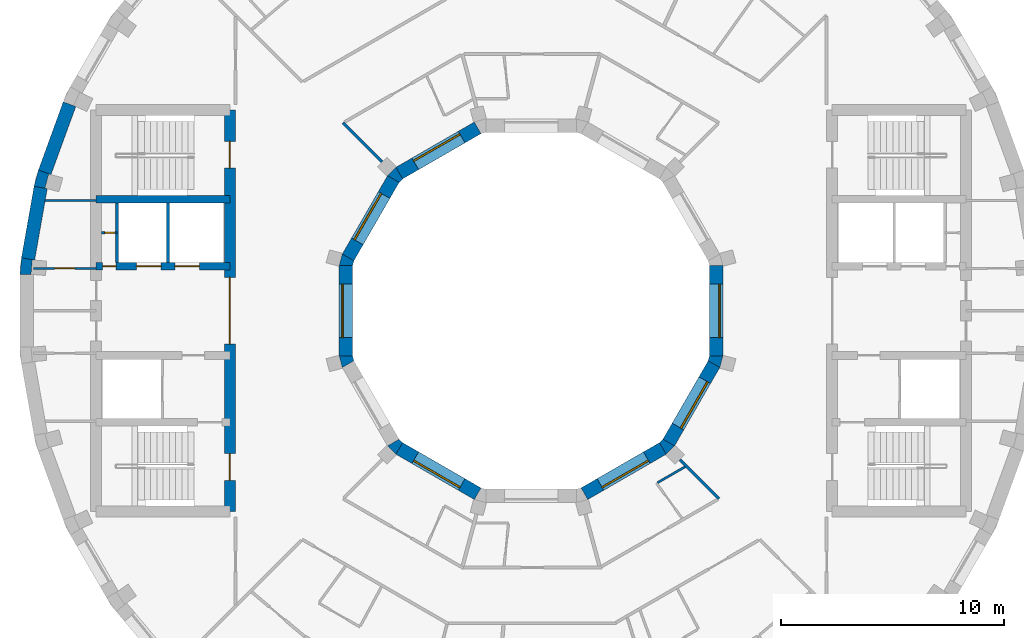
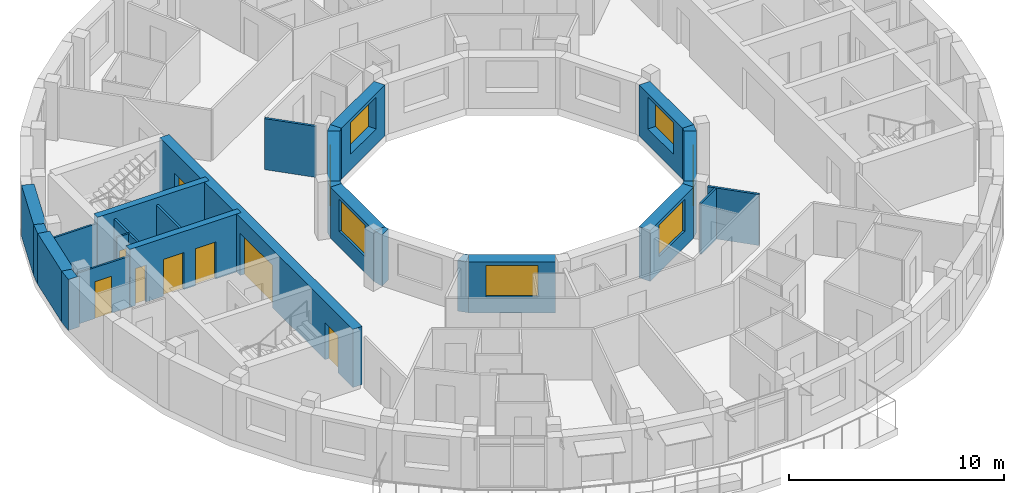
# One storey, part 6 of 12: 28 walls, 8 doors, 7 windows, 15 openings.
"""IFC4 building model written with IfcOpenShell, lengths in metres."""

from ifc_helpers import new_model, si_unit, direction, frame, frame_2d, origin, place, context, subcontext, project, spatial, polyline, rectangle, outline, extrude, material, layer, layer_set, type_object, element, fill, save


model = new_model("IFC4")

# Units and contexts
model_context = context("Model", 3, precision=1e-05, world=origin(), true_north=direction((0.0, 1.0)))
body_context = subcontext(model_context, "Body", "Model", "MODEL_VIEW")
ifc_project = project(units=[si_unit("LENGTHUNIT", "METRE"), si_unit("AREAUNIT", "SQUARE_METRE"), si_unit("VOLUMEUNIT", "CUBIC_METRE"), si_unit("PLANEANGLEUNIT", "RADIAN"), si_unit("MASSUNIT", "GRAM", prefix="KILO")], contexts=[model_context])

# Site, building, storey
site_placement = place(None, origin())
site = spatial("IfcSite", under=ifc_project, at=site_placement, CompositionType="ELEMENT")
building_placement = place(site_placement, origin())
building = spatial("IfcBuilding", under=site, at=building_placement, Name="Saqina Gate Tower", CompositionType="ELEMENT")
storey_placement = place(building_placement, frame((0.0, 0.0, 272.60009765625)))
storey = spatial("IfcBuildingStorey", under=building, at=storey_placement, Name="L78", CompositionType="ELEMENT", Elevation=272.60009765625)

# Walls
ifc_material_1 = material(Name="Brick masonry (buff)", Category="masonry")
wall_type_1 = type_object("IfcWallType", Name="BRICK PIER COPING BUFF", PredefinedType="SOLIDWALL", material=ifc_material_1)
wall_1_placement = place(storey_placement, origin())
element("IfcWall", 1, at=wall_1_placement, inside=storey, type_object=wall_type_1, Name="Pier cap L78 column 17", PredefinedType="SOLIDWALL", context=body_context, shape_type="SweptSolid", body=[
    extrude(outline(polyline([(-22.281982421875, 5.579833984375), (-21.691162109375, 5.4755859375), (-21.793212890625, 5.5029296875), (-21.625, 6.130859375), (-21.52294921875, 6.103515625), (-22.0869140625, 6.30859375), (-22.281982421875, 5.579833984375)])), origin(), (0.0, 0.0, 1.0), 2.89990234375),
])
wall_2_placement = place(storey_placement, origin())
element("IfcWall", 2, at=wall_2_placement, inside=storey, type_object=wall_type_1, Name="Pier cap L78 column 18", PredefinedType="SOLIDWALL", context=body_context, shape_type="SweptSolid", body=[
    extrude(outline(polyline([(-22.8466796875, 2.377685546875), (-22.91259765625, 1.625732421875), (-22.3125, 1.625732421875), (-22.417724609375, 1.635009765625), (-22.361083984375, 2.28271484375), (-22.255859375, 2.2734375), (-22.8466796875, 2.377685546875)])), origin(), (0.0, 0.0, 1.0), 2.89990234375),
])

# Wall, opening, door
ifc_material_2 = material(Name="Gypsum board on steel studs", Category="steel")
ifc_layer_1 = layer(ifc_material_2, 0.10009765625)
ifc_layer_set_1 = layer_set([ifc_layer_1], Name="CORE PARTITION")
wall_type_2 = type_object("IfcWallType", Name="CORE PARTITION", PredefinedType="PARTITIONING", material=ifc_layer_set_1)
wall_3_placement = place(storey_placement, frame((-18.56005859375, 3.5, 0.0), z_axis=(0.0, 0.0, 1.0), x_axis=(-1.0, 0.0, 0.0)))
wall_3 = element("IfcWall", 3, at=wall_3_placement, inside=storey, type_object=wall_type_2, Name="L78-CP-W01", PredefinedType="PARTITIONING", context=body_context, shape_type="SweptSolid", body=[
    extrude(rectangle(XDim=0.68994140625, YDim=0.10009765625, at=frame_2d((0.344970703125, 0.0))), origin(), (0.0, 0.0, 1.0), 2.89990234375),
])
opening_1_placement = place(wall_3_placement, frame((0.10009765625, 0.0, 0.0)))
opening_1 = element("IfcOpeningElement", 4, at=opening_1_placement, cuts=wall_3, Name="Opening G23-D107", PredefinedType="OPENING", context=body_context, shape_type="SweptSolid", body=[
    extrude(rectangle(XDim=0.449951171875, YDim=2.10009765625, at=frame_2d((0.22509765625, 1.050048828125))), frame((0.0, 0.06201171875, 0.0), z_axis=(0.0, -1.0, 0.0), x_axis=(1.0, 0.0, 0.0)), (0.0, 0.0, 1.0), 0.1240234375),
])
ifc_material_3 = material(Name="Steel-framed fire door leaf, EI 60", Category="steel")
door_type_1 = type_object("IfcDoorType", Name="SERVICE ROOM DOOR 450", OperationType="SINGLE_SWING_LEFT", PredefinedType="DOOR", material=ifc_material_3)
door_1_placement = place(opening_1_placement, origin())
door_1 = element("IfcDoor", 5, at=door_1_placement, inside=storey, type_object=door_type_1, Name="L78-CD-W18", OperationType="SINGLE_SWING_RIGHT", OverallHeight=2.10009765625, OverallWidth=0.449951171875, PredefinedType="DOOR", context=body_context, shape_type="SweptSolid", body=[
    extrude(rectangle(XDim=0.449951171875, YDim=2.10009765625, at=frame_2d((0.22509765625, 1.050048828125))), frame((0.0, 0.02490234375, 0.0), z_axis=(0.0, -1.0, 0.0), x_axis=(1.0, 0.0, 0.0)), (0.0, 0.0, 1.0), 0.050048828125),
])
fill(opening_1, door_1)

# Wall
wall_4_placement = place(storey_placement, frame((-19.5, 4.949951171875, 0.0), z_axis=(0.0, 0.0, 1.0), x_axis=(-1.0, 0.0, 0.0)))
element("IfcWall", 6, at=wall_4_placement, inside=storey, type_object=wall_type_2, Name="L78-CP-W02", PredefinedType="PARTITIONING", context=body_context, shape_type="SweptSolid", body=[
    extrude(rectangle(XDim=2.283935546875, YDim=0.10009765625, at=frame_2d((1.14208984375, 0.0))), origin(), (0.0, 0.0, 1.0), 2.89990234375),
])

# Wall, opening, door
wall_5_placement = place(storey_placement, frame((-19.5, 1.89990234375, 0.0), z_axis=(0.0, 0.0, 1.0), x_axis=(-1.0, 0.0, 0.0)))
wall_5 = element("IfcWall", 7, at=wall_5_placement, inside=storey, type_object=wall_type_2, Name="L78-CP-W03", PredefinedType="PARTITIONING", context=body_context, shape_type="SweptSolid", body=[
    extrude(rectangle(XDim=2.8125, YDim=0.10009765625, at=frame_2d((1.40625, 0.0))), origin(), (0.0, 0.0, 1.0), 2.89990234375),
])
opening_2_placement = place(wall_5_placement, frame((0.956298828125, 0.0, 0.0)))
opening_2 = element("IfcOpeningElement", 8, at=opening_2_placement, cuts=wall_5, Name="Opening G23-D103", PredefinedType="OPENING", context=body_context, shape_type="SweptSolid", body=[
    extrude(rectangle(XDim=0.89990234375, YDim=2.10009765625, at=frame_2d((0.449951171875, 1.050048828125))), frame((0.0, 0.06201171875, 0.0), z_axis=(0.0, -1.0, 0.0), x_axis=(1.0, 0.0, 0.0)), (0.0, 0.0, 1.0), 0.1240234375),
])
ifc_material_4 = material(Name="Steel-framed fire door leaf, EI 60", Category="steel")
door_type_2 = type_object("IfcDoorType", Name="SERVICE ROOM DOOR 900", OperationType="SINGLE_SWING_LEFT", PredefinedType="DOOR", material=ifc_material_4)
door_2_placement = place(opening_2_placement, frame((0.89990234375, 0.0, 0.0), z_axis=(0.0, 0.0, 1.0), x_axis=(-1.0, 0.0, 0.0)))
door_2 = element("IfcDoor", 9, at=door_2_placement, inside=storey, type_object=door_type_2, Name="L78-CD-W14", OperationType="SINGLE_SWING_LEFT", OverallHeight=2.10009765625, OverallWidth=0.89990234375, PredefinedType="DOOR", context=body_context, shape_type="SweptSolid", body=[
    extrude(rectangle(XDim=0.89990234375, YDim=2.10009765625, at=frame_2d((0.449951171875, 1.050048828125))), frame((0.0, 0.02490234375, 0.0), z_axis=(0.0, -1.0, 0.0), x_axis=(1.0, 0.0, 0.0)), (0.0, 0.0, 1.0), 0.050048828125),
])
fill(opening_2, door_2)

# Walls
ifc_material_5 = material(Name="Glazed ceramic tile", Category="ceramic")
ifc_layer_2 = layer(ifc_material_5, 0.60009765625)
ifc_layer_set_2 = layer_set([ifc_layer_2], Name="FW-TILE")
wall_type_3 = type_object("IfcWallType", Name="FW-TILE", PredefinedType="SOLIDWALL", material=ifc_layer_set_2)
wall_6_placement = place(storey_placement, frame((-21.986572265625, 5.52783203125, 0.0), z_axis=(0.0, 0.0, 1.0), x_axis=(-0.173656842178, -0.984806225186, 0.0)))
element("IfcWall", 10, at=wall_6_placement, inside=storey, type_object=wall_type_3, Name="Facade wall L78 facet 17", PredefinedType="SOLIDWALL", context=body_context, shape_type="SweptSolid", body=[
    extrude(rectangle(XDim=3.251708984375, YDim=0.60009765625, at=frame_2d((1.6259765625, 0.0))), origin(), (0.0, 0.0, 1.0), 2.89990234375),
])
ifc_material_6 = material(Name="Glazed ceramic tile (dark blue)", Category="ceramic")
ifc_layer_3 = layer(ifc_material_6, 0.60009765625)
ifc_layer_set_3 = layer_set([ifc_layer_3], Name="FW-TILE-CB")
wall_type_4 = type_object("IfcWallType", Name="FW-TILE-CB", PredefinedType="SOLIDWALL", material=ifc_layer_set_3)
wall_7_placement = place(storey_placement, frame((-20.692626953125, 9.26171875, 0.0), z_axis=(0.0, 0.0, 1.0), x_axis=(-0.342056509473, -0.939679383794, 0.0)))
element("IfcWall", 11, at=wall_7_placement, inside=storey, type_object=wall_type_4, Name="Facade wall L78 facet 16", PredefinedType="SOLIDWALL", context=body_context, shape_type="SweptSolid", body=[
    extrude(rectangle(XDim=3.251708984375, YDim=0.60009765625, at=frame_2d((1.6259765625, 0.0))), origin(), (0.0, 0.0, 1.0), 2.89990234375),
])

# Wall, opening, window
ifc_material_7 = material(Name="Glazed ceramic tile", Category="ceramic")
ifc_layer_4 = layer(ifc_material_7, 0.60009765625)
ifc_layer_set_4 = layer_set([ifc_layer_4], Name="IW-TILE")
wall_type_5 = type_object("IfcWallType", Name="IW-TILE", PredefinedType="SOLIDWALL", material=ifc_layer_set_4)
wall_8_placement = place(storey_placement, frame((-2.392578125, 8.20263671875, 0.0), z_axis=(0.0, 0.0, 1.0), x_axis=(-0.866028316509, -0.499994954979, 0.0)))
wall_8 = element("IfcWall", 12, at=wall_8_placement, inside=storey, type_object=wall_type_5, Name="Well wall L78 facet 4", PredefinedType="SOLIDWALL", context=body_context, shape_type="SweptSolid", body=[
    extrude(rectangle(XDim=4.05859375, YDim=0.60009765625, at=frame_2d((2.029296875, 0.0))), origin(), (0.0, 0.0, 1.0), 2.89990234375),
])
opening_3_placement = place(wall_8_placement, frame((0.829345703125, 0.0, 0.89990234375)))
opening_3 = element("IfcOpeningElement", 13, at=opening_3_placement, cuts=wall_8, Name="Opening G23-W26", PredefinedType="OPENING", context=body_context, shape_type="SweptSolid", body=[
    extrude(rectangle(XDim=2.39990234375, YDim=1.800048828125, at=frame_2d((1.199951171875, 0.89990234375))), frame((0.0, 0.31201171875, 0.0), z_axis=(0.0, -1.0, 0.0), x_axis=(1.0, 0.0, 0.0)), (0.0, 0.0, 1.0), 0.6240234375),
])
ifc_material_8 = material(Name="Aluminium glazing", Category="aluminium")
window_type = type_object("IfcWindowType", Name="WN-W", PartitioningType="SINGLE_PANEL", PredefinedType="WINDOW", material=ifc_material_8)
window_1_placement = place(opening_3_placement, origin())
window_1 = element("IfcWindow", 14, at=window_1_placement, inside=storey, type_object=window_type, Name="Well window L78 facet 4", OverallHeight=1.800048828125, OverallWidth=2.39990234375, PartitioningType="SINGLE_PANEL", PredefinedType="WINDOW", context=body_context, shape_type="SweptSolid", body=[
    extrude(rectangle(XDim=2.39990234375, YDim=1.800048828125, at=frame_2d((1.199951171875, 0.89990234375))), frame((0.0, -0.119873046875, 0.0), z_axis=(0.0, -1.0, 0.0), x_axis=(1.0, 0.0, 0.0)), (0.0, 0.0, 1.0), 0.06005859375),
])
fill(opening_3, window_1)

wall_9_placement = place(storey_placement, frame((-6.17333984375, 5.907470703125, 0.0), z_axis=(0.0, 0.0, 1.0), x_axis=(-0.499994954979, -0.866028316509, 0.0)))
wall_9 = element("IfcWall", 15, at=wall_9_placement, inside=storey, type_object=wall_type_5, Name="Well wall L78 facet 5", PredefinedType="SOLIDWALL", context=body_context, shape_type="SweptSolid", body=[
    extrude(rectangle(XDim=4.05859375, YDim=0.60009765625, at=frame_2d((2.029296875, 0.0))), origin(), (0.0, 0.0, 1.0), 2.89990234375),
])
opening_4_placement = place(wall_9_placement, frame((0.829345703125, 0.0, 0.89990234375)))
opening_4 = element("IfcOpeningElement", 16, at=opening_4_placement, cuts=wall_9, Name="Opening G23-W27", PredefinedType="OPENING", context=body_context, shape_type="SweptSolid", body=[
    extrude(rectangle(XDim=2.39990234375, YDim=1.800048828125, at=frame_2d((1.199951171875, 0.89990234375))), frame((0.0, 0.31201171875, 0.0), z_axis=(0.0, -1.0, 0.0), x_axis=(1.0, 0.0, 0.0)), (0.0, 0.0, 1.0), 0.6240234375),
])
window_2_placement = place(opening_4_placement, origin())
window_2 = element("IfcWindow", 17, at=window_2_placement, inside=storey, type_object=window_type, Name="Well window L78 facet 5", OverallHeight=1.800048828125, OverallWidth=2.39990234375, PartitioningType="SINGLE_PANEL", PredefinedType="WINDOW", context=body_context, shape_type="SweptSolid", body=[
    extrude(rectangle(XDim=2.39990234375, YDim=1.800048828125, at=frame_2d((1.199951171875, 0.89990234375))), frame((0.0, -0.119873046875, 0.0), z_axis=(0.0, -1.0, 0.0), x_axis=(1.0, 0.0, 0.0)), (0.0, 0.0, 1.0), 0.06005859375),
])
fill(opening_4, window_2)

wall_10_placement = place(storey_placement, frame((-8.300048828125, 2.029296875, 0.0), z_axis=(0.0, 0.0, 1.0), x_axis=(0.0, -1.0, 0.0)))
wall_10 = element("IfcWall", 18, at=wall_10_placement, inside=storey, type_object=wall_type_5, Name="Well wall L78 facet 6", PredefinedType="SOLIDWALL", context=body_context, shape_type="SweptSolid", body=[
    extrude(rectangle(XDim=4.05859375, YDim=0.60009765625, at=frame_2d((2.029296875, 0.0))), origin(), (0.0, 0.0, 1.0), 2.89990234375),
])
opening_5_placement = place(wall_10_placement, frame((0.829345703125, 0.0, 0.89990234375)))
opening_5 = element("IfcOpeningElement", 19, at=opening_5_placement, cuts=wall_10, Name="Opening G23-W28", PredefinedType="OPENING", context=body_context, shape_type="SweptSolid", body=[
    extrude(rectangle(XDim=2.39990234375, YDim=1.800048828125, at=frame_2d((1.199951171875, 0.89990234375))), frame((0.0, 0.31201171875, 0.0), z_axis=(0.0, -1.0, 0.0), x_axis=(1.0, 0.0, 0.0)), (0.0, 0.0, 1.0), 0.6240234375),
])
window_3_placement = place(opening_5_placement, origin())
window_3 = element("IfcWindow", 20, at=window_3_placement, inside=storey, type_object=window_type, Name="Well window L78 facet 6", OverallHeight=1.800048828125, OverallWidth=2.39990234375, PartitioningType="SINGLE_PANEL", PredefinedType="WINDOW", context=body_context, shape_type="SweptSolid", body=[
    extrude(rectangle(XDim=2.39990234375, YDim=1.800048828125, at=frame_2d((1.199951171875, 0.89990234375))), frame((0.0, -0.119873046875, 0.0), z_axis=(0.0, -1.0, 0.0), x_axis=(1.0, 0.0, 0.0)), (0.0, 0.0, 1.0), 0.06005859375),
])
fill(opening_5, window_3)

wall_11_placement = place(storey_placement, frame((-5.907470703125, -6.17333984375, 0.0), z_axis=(0.0, 0.0, 1.0), x_axis=(0.866028316509, -0.499994954979, 0.0)))
wall_11 = element("IfcWall", 21, at=wall_11_placement, inside=storey, type_object=wall_type_5, Name="Well wall L78 facet 8", PredefinedType="SOLIDWALL", context=body_context, shape_type="SweptSolid", body=[
    extrude(rectangle(XDim=4.05859375, YDim=0.60009765625, at=frame_2d((2.029296875, 0.0))), origin(), (0.0, 0.0, 1.0), 2.89990234375),
])
opening_6_placement = place(wall_11_placement, frame((0.829345703125, 0.0, 0.89990234375)))
opening_6 = element("IfcOpeningElement", 22, at=opening_6_placement, cuts=wall_11, Name="Opening G23-W30", PredefinedType="OPENING", context=body_context, shape_type="SweptSolid", body=[
    extrude(rectangle(XDim=2.39990234375, YDim=1.800048828125, at=frame_2d((1.199951171875, 0.89990234375))), frame((0.0, 0.31201171875, 0.0), z_axis=(0.0, -1.0, 0.0), x_axis=(1.0, 0.0, 0.0)), (0.0, 0.0, 1.0), 0.6240234375),
])
window_4_placement = place(opening_6_placement, origin())
window_4 = element("IfcWindow", 23, at=window_4_placement, inside=storey, type_object=window_type, Name="Well window L78 facet 8", OverallHeight=1.800048828125, OverallWidth=2.39990234375, PartitioningType="SINGLE_PANEL", PredefinedType="WINDOW", context=body_context, shape_type="SweptSolid", body=[
    extrude(rectangle(XDim=2.39990234375, YDim=1.800048828125, at=frame_2d((1.199951171875, 0.89990234375))), frame((0.0, -0.119873046875, 0.0), z_axis=(0.0, -1.0, 0.0), x_axis=(1.0, 0.0, 0.0)), (0.0, 0.0, 1.0), 0.06005859375),
])
fill(opening_6, window_4)

wall_12_placement = place(storey_placement, frame((2.392578125, -8.20263671875, 0.0), z_axis=(0.0, 0.0, 1.0), x_axis=(0.866028316509, 0.499994954979, 0.0)))
wall_12 = element("IfcWall", 24, at=wall_12_placement, inside=storey, type_object=wall_type_5, Name="Well wall L78 facet 10", PredefinedType="SOLIDWALL", context=body_context, shape_type="SweptSolid", body=[
    extrude(rectangle(XDim=4.05859375, YDim=0.60009765625, at=frame_2d((2.029296875, 0.0))), origin(), (0.0, 0.0, 1.0), 2.89990234375),
])
opening_7_placement = place(wall_12_placement, frame((0.829345703125, 0.0, 0.89990234375)))
opening_7 = element("IfcOpeningElement", 25, at=opening_7_placement, cuts=wall_12, Name="Opening G23-W32", PredefinedType="OPENING", context=body_context, shape_type="SweptSolid", body=[
    extrude(rectangle(XDim=2.39990234375, YDim=1.800048828125, at=frame_2d((1.199951171875, 0.89990234375))), frame((0.0, 0.31201171875, 0.0), z_axis=(0.0, -1.0, 0.0), x_axis=(1.0, 0.0, 0.0)), (0.0, 0.0, 1.0), 0.6240234375),
])
window_5_placement = place(opening_7_placement, origin())
window_5 = element("IfcWindow", 26, at=window_5_placement, inside=storey, type_object=window_type, Name="Well window L78 facet 10", OverallHeight=1.800048828125, OverallWidth=2.39990234375, PartitioningType="SINGLE_PANEL", PredefinedType="WINDOW", context=body_context, shape_type="SweptSolid", body=[
    extrude(rectangle(XDim=2.39990234375, YDim=1.800048828125, at=frame_2d((1.199951171875, 0.89990234375))), frame((0.0, -0.119873046875, 0.0), z_axis=(0.0, -1.0, 0.0), x_axis=(1.0, 0.0, 0.0)), (0.0, 0.0, 1.0), 0.06005859375),
])
fill(opening_7, window_5)

wall_13_placement = place(storey_placement, frame((6.17333984375, -5.907470703125, 0.0), z_axis=(0.0, 0.0, 1.0), x_axis=(0.499994954979, 0.866028316509, 0.0)))
wall_13 = element("IfcWall", 27, at=wall_13_placement, inside=storey, type_object=wall_type_5, Name="Well wall L78 facet 11", PredefinedType="SOLIDWALL", context=body_context, shape_type="SweptSolid", body=[
    extrude(rectangle(XDim=4.05859375, YDim=0.60009765625, at=frame_2d((2.029296875, 0.0))), origin(), (0.0, 0.0, 1.0), 2.89990234375),
])
opening_8_placement = place(wall_13_placement, frame((0.829345703125, 0.0, 0.89990234375)))
opening_8 = element("IfcOpeningElement", 28, at=opening_8_placement, cuts=wall_13, Name="Opening G23-W33", PredefinedType="OPENING", context=body_context, shape_type="SweptSolid", body=[
    extrude(rectangle(XDim=2.39990234375, YDim=1.800048828125, at=frame_2d((1.199951171875, 0.89990234375))), frame((0.0, 0.31201171875, 0.0), z_axis=(0.0, -1.0, 0.0), x_axis=(1.0, 0.0, 0.0)), (0.0, 0.0, 1.0), 0.6240234375),
])
window_6_placement = place(opening_8_placement, origin())
window_6 = element("IfcWindow", 29, at=window_6_placement, inside=storey, type_object=window_type, Name="Well window L78 facet 11", OverallHeight=1.800048828125, OverallWidth=2.39990234375, PartitioningType="SINGLE_PANEL", PredefinedType="WINDOW", context=body_context, shape_type="SweptSolid", body=[
    extrude(rectangle(XDim=2.39990234375, YDim=1.800048828125, at=frame_2d((1.199951171875, 0.89990234375))), frame((0.0, -0.119873046875, 0.0), z_axis=(0.0, -1.0, 0.0), x_axis=(1.0, 0.0, 0.0)), (0.0, 0.0, 1.0), 0.06005859375),
])
fill(opening_8, window_6)

wall_14_placement = place(storey_placement, frame((8.300048828125, -2.029296875, 0.0), z_axis=(0.0, 0.0, 1.0), x_axis=(0.0, 1.0, 0.0)))
wall_14 = element("IfcWall", 30, at=wall_14_placement, inside=storey, type_object=wall_type_5, Name="Well wall L78 facet 12", PredefinedType="SOLIDWALL", context=body_context, shape_type="SweptSolid", body=[
    extrude(rectangle(XDim=4.05859375, YDim=0.60009765625, at=frame_2d((2.029296875, 0.0))), origin(), (0.0, 0.0, 1.0), 2.89990234375),
])
opening_9_placement = place(wall_14_placement, frame((0.829345703125, 0.0, 0.89990234375)))
opening_9 = element("IfcOpeningElement", 31, at=opening_9_placement, cuts=wall_14, Name="Opening G23-W34", PredefinedType="OPENING", context=body_context, shape_type="SweptSolid", body=[
    extrude(rectangle(XDim=2.39990234375, YDim=1.800048828125, at=frame_2d((1.199951171875, 0.89990234375))), frame((0.0, 0.31201171875, 0.0), z_axis=(0.0, -1.0, 0.0), x_axis=(1.0, 0.0, 0.0)), (0.0, 0.0, 1.0), 0.6240234375),
])
window_7_placement = place(opening_9_placement, origin())
window_7 = element("IfcWindow", 32, at=window_7_placement, inside=storey, type_object=window_type, Name="Well window L78 facet 12", OverallHeight=1.800048828125, OverallWidth=2.39990234375, PartitioningType="SINGLE_PANEL", PredefinedType="WINDOW", context=body_context, shape_type="SweptSolid", body=[
    extrude(rectangle(XDim=2.39990234375, YDim=1.800048828125, at=frame_2d((1.199951171875, 0.89990234375))), frame((0.0, -0.119873046875, 0.0), z_axis=(0.0, -1.0, 0.0), x_axis=(1.0, 0.0, 0.0)), (0.0, 0.0, 1.0), 0.06005859375),
])
fill(opening_9, window_7)

# Walls
ifc_material_9 = material(Name="Gypsum board on steel studs, 100 mm", Category="steel")
ifc_layer_5 = layer(ifc_material_9, 0.10009765625)
ifc_layer_set_5 = layer_set([ifc_layer_5], Name="PARTITION 100")
wall_type_6 = type_object("IfcWallType", Name="PARTITION 100", PredefinedType="PARTITIONING", material=ifc_layer_set_5)
wall_15_placement = place(storey_placement, frame((5.669189453125, -7.7080078125, 0.0), z_axis=(0.0, 0.0, 1.0), x_axis=(0.866134428192, 0.499811116623, 0.0)))
element("IfcWall", 33, at=wall_15_placement, inside=storey, type_object=wall_type_6, Name="PARTITION PW3-35", PredefinedType="PARTITIONING", context=body_context, shape_type="SweptSolid", body=[
    extrude(rectangle(XDim=1.43017578125, YDim=0.10009765625, at=frame_2d((0.715087890625, 0.0))), origin(), (0.0, 0.0, 1.0), 2.89990234375),
])
ifc_material_10 = material(Name="Gypsum board on steel studs, 125 mm, fire rated", Category="steel")
ifc_layer_6 = layer(ifc_material_10, 0.125)
ifc_layer_set_6 = layer_set([ifc_layer_6], Name="PARTITION EI 30 125")
wall_type_7 = type_object("IfcWallType", Name="PARTITION EI 30 125", PredefinedType="PARTITIONING", material=ifc_layer_set_6)
for number, where, z_axis, x_axis, name in (
    (34, (-8.426025390625, 8.426025390625, 0.0), (0.0, 0.0, 1.0), (0.707106781187, -0.707106781187, 0.0), "PARTITION PW1-08"),
    (35, (6.6767578125, -6.6767578125, 0.0), (0.0, 0.0, 1.0), (0.707106781187, -0.707106781187, 0.0), "PARTITION PW1-09"),
):
    element("IfcWall", number, at=place(storey_placement, frame(where, z_axis=z_axis, x_axis=x_axis)), inside=storey, type_object=wall_type_7, Name=name, PredefinedType="PARTITIONING", context=body_context, shape_type="SweptSolid", body=[
        extrude(rectangle(XDim=2.473876953125, YDim=0.125, at=frame_2d((1.23681640625, 0.0))), origin(), (0.0, 0.0, 1.0), 2.89990234375),
    ])
ifc_material_11 = material(Name="Autoclaved aerated concrete block", Category="concrete")
ifc_layer_7 = layer(ifc_material_11, 0.1201171875)
ifc_layer_set_7 = layer_set([ifc_layer_7], Name="SHAFT PARTITION")
wall_type_8 = type_object("IfcWallType", Name="SHAFT PARTITION", PredefinedType="PARTITIONING", material=ifc_layer_set_7)
for number, where, z_axis, x_axis, name in (
    (36, (-16.280029296875, 2.175048828125, 0.0), (0.0, 0.0, 1.0), (0.0, 1.0, 0.0), "L78-CP-W07"),
    (37, (-18.56005859375, 2.175048828125, 0.0), (0.0, 0.0, 1.0), (0.0, 1.0, 0.0), "L78-CP-W08"),
):
    element("IfcWall", number, at=place(storey_placement, frame(where, z_axis=z_axis, x_axis=x_axis)), inside=storey, type_object=wall_type_8, Name=name, PredefinedType="PARTITIONING", context=body_context, shape_type="SweptSolid", body=[
        extrude(rectangle(XDim=2.64990234375, YDim=0.1201171875, at=frame_2d((1.324951171875, 0.0))), origin(), (0.0, 0.0, 1.0), 2.89990234375),
    ])
ifc_material_12 = material(Name="Concrete C60/75", Category="concrete")
ifc_layer_8 = layer(ifc_material_12, 0.35009765625)
ifc_layer_set_8 = layer_set([ifc_layer_8], Name="Concrete C60/75")
wall_type_9 = type_object("IfcWallType", Name="STR-CORE WALL-D-I", PredefinedType="SHEAR", material=ifc_layer_set_8)
wall_16_placement = place(storey_placement, frame((-13.5, 5.0, 0.0), z_axis=(0.0, 0.0, 1.0), x_axis=(-1.0, 0.0, 0.0)))
element("IfcWall", 38, at=wall_16_placement, inside=storey, type_object=wall_type_9, Name="CORE WALL L78 W-X1", PredefinedType="SHEAR", context=body_context, shape_type="SweptSolid", body=[
    extrude(rectangle(XDim=6.0, YDim=0.35009765625, at=frame_2d((3.0, 0.0))), origin(), (0.0, 0.0, 1.0), 3.2998046875),
])

# Wall, openings, doors
wall_17_placement = place(storey_placement, frame((-13.5, 2.0, 0.0), z_axis=(0.0, 0.0, 1.0), x_axis=(-1.0, 0.0, 0.0)))
wall_17 = element("IfcWall", 39, at=wall_17_placement, inside=storey, type_object=wall_type_9, Name="CORE WALL L78 W-L1", PredefinedType="SHEAR", context=body_context, shape_type="SweptSolid", body=[
    extrude(rectangle(XDim=6.0, YDim=0.35009765625, at=frame_2d((3.0, 0.0))), origin(), (0.0, 0.0, 1.0), 3.2998046875),
])
opening_10_placement = place(wall_17_placement, frame((1.3701171875, 0.0, 0.0)))
opening_10 = element("IfcOpeningElement", 40, at=opening_10_placement, cuts=wall_17, Name="Opening G23-LD4", PredefinedType="OPENING", context=body_context, shape_type="SweptSolid", body=[
    extrude(rectangle(XDim=1.10009765625, YDim=2.10009765625, at=frame_2d((0.550048828125, 1.050048828125))), frame((0.0, 0.18701171875, 0.0), z_axis=(0.0, -1.0, 0.0), x_axis=(1.0, 0.0, 0.0)), (0.0, 0.0, 1.0), 0.3740234375),
])
opening_11_placement = place(wall_17_placement, frame((3.090087890625, 0.0, 0.0)))
opening_11 = element("IfcOpeningElement", 41, at=opening_11_placement, cuts=wall_17, Name="Opening G23-LD5", PredefinedType="OPENING", context=body_context, shape_type="SweptSolid", body=[
    extrude(rectangle(XDim=1.10009765625, YDim=2.10009765625, at=frame_2d((0.550048828125, 1.050048828125))), frame((0.0, 0.18701171875, 0.0), z_axis=(0.0, -1.0, 0.0), x_axis=(1.0, 0.0, 0.0)), (0.0, 0.0, 1.0), 0.3740234375),
])
opening_12_placement = place(wall_17_placement, frame((5.10498046875, 0.0, 0.0)))
opening_12 = element("IfcOpeningElement", 42, at=opening_12_placement, cuts=wall_17, Name="Opening G23-D101", PredefinedType="OPENING", context=body_context, shape_type="SweptSolid", body=[
    extrude(rectangle(XDim=0.60009765625, YDim=2.10009765625, at=frame_2d((0.300048828125, 1.050048828125))), frame((0.0, 0.18701171875, 0.0), z_axis=(0.0, -1.0, 0.0), x_axis=(1.0, 0.0, 0.0)), (0.0, 0.0, 1.0), 0.3740234375),
])
ifc_material_13 = material(Name="Stainless steel", Category="steel")
door_type_3 = type_object("IfcDoorType", Name="LANDING DOOR", OperationType="DOUBLE_DOOR_SLIDING", PredefinedType="DOOR", material=ifc_material_13)
door_3_placement = place(opening_10_placement, origin())
door_3 = element("IfcDoor", 43, at=door_3_placement, inside=storey, type_object=door_type_3, Name="LANDING DOOR HR3", OperationType="DOUBLE_DOOR_SLIDING", OverallHeight=2.10009765625, OverallWidth=1.10009765625, PredefinedType="DOOR", context=body_context, shape_type="SweptSolid", body=[
    extrude(rectangle(XDim=1.10009765625, YDim=2.10009765625, at=frame_2d((0.550048828125, 1.050048828125))), frame((0.0, 0.02490234375, 0.0), z_axis=(0.0, -1.0, 0.0), x_axis=(1.0, 0.0, 0.0)), (0.0, 0.0, 1.0), 0.050048828125),
])
fill(opening_10, door_3)
door_4_placement = place(opening_11_placement, origin())
door_4 = element("IfcDoor", 44, at=door_4_placement, inside=storey, type_object=door_type_3, Name="LANDING DOOR HR4", OperationType="DOUBLE_DOOR_SLIDING", OverallHeight=2.10009765625, OverallWidth=1.10009765625, PredefinedType="DOOR", context=body_context, shape_type="SweptSolid", body=[
    extrude(rectangle(XDim=1.10009765625, YDim=2.10009765625, at=frame_2d((0.550048828125, 1.050048828125))), frame((0.0, 0.02490234375, 0.0), z_axis=(0.0, -1.0, 0.0), x_axis=(1.0, 0.0, 0.0)), (0.0, 0.0, 1.0), 0.050048828125),
])
fill(opening_11, door_4)
ifc_material_14 = material(Name="Steel-framed fire door leaf, EI 60", Category="steel")
door_type_4 = type_object("IfcDoorType", Name="SERVICE ROOM DOOR 600", OperationType="SINGLE_SWING_LEFT", PredefinedType="DOOR", material=ifc_material_14)
door_5_placement = place(opening_12_placement, frame((0.60009765625, 0.0, 0.0), z_axis=(0.0, 0.0, 1.0), x_axis=(-1.0, 0.0, 0.0)))
door_5 = element("IfcDoor", 45, at=door_5_placement, inside=storey, type_object=door_type_4, Name="L78-CD-W12", OperationType="SINGLE_SWING_LEFT", OverallHeight=2.10009765625, OverallWidth=0.60009765625, PredefinedType="DOOR", context=body_context, shape_type="SweptSolid", body=[
    extrude(rectangle(XDim=0.60009765625, YDim=2.10009765625, at=frame_2d((0.300048828125, 1.050048828125))), frame((0.0, 0.02490234375, 0.0), z_axis=(0.0, -1.0, 0.0), x_axis=(1.0, 0.0, 0.0)), (0.0, 0.0, 1.0), 0.050048828125),
])
fill(opening_12, door_5)

ifc_material_15 = material(Name="Concrete C60/75", Category="concrete")
ifc_layer_9 = layer(ifc_material_15, 0.5)
ifc_layer_set_9 = layer_set([ifc_layer_9], Name="Concrete C60/75")
wall_type_10 = type_object("IfcWallType", Name="STR-CORE WALL-D-O", PredefinedType="SHEAR", material=ifc_layer_set_9)
wall_18_placement = place(storey_placement, frame((-13.5, -9.0, 0.0), z_axis=(0.0, 0.0, 1.0), x_axis=(0.0, 1.0, 0.0)))
wall_18 = element("IfcWall", 46, at=wall_18_placement, inside=storey, type_object=wall_type_10, Name="CORE WALL L78 W-W1", PredefinedType="SHEAR", context=body_context, shape_type="SweptSolid", body=[
    extrude(rectangle(XDim=18.0, YDim=0.5, at=frame_2d((9.0, 0.0))), origin(), (0.0, 0.0, 1.0), 3.2998046875),
])
opening_13_placement = place(wall_18_placement, frame((15.39990234375, 0.0, 0.0)))
opening_13 = element("IfcOpeningElement", 47, at=opening_13_placement, cuts=wall_18, Name="Opening G23-D109", PredefinedType="OPENING", context=body_context, shape_type="SweptSolid", body=[
    extrude(rectangle(XDim=1.199951171875, YDim=2.10009765625, at=frame_2d((0.60009765625, 1.050048828125))), frame((0.0, 0.261962890625, 0.0), z_axis=(0.0, -1.0, 0.0), x_axis=(1.0, 0.0, 0.0)), (0.0, 0.0, 1.0), 0.52392578125),
])
opening_14_placement = place(wall_18_placement, frame((1.39990234375, 0.0, 0.0)))
opening_14 = element("IfcOpeningElement", 48, at=opening_14_placement, cuts=wall_18, Name="Opening G23-D110", PredefinedType="OPENING", context=body_context, shape_type="SweptSolid", body=[
    extrude(rectangle(XDim=1.199951171875, YDim=2.10009765625, at=frame_2d((0.60009765625, 1.050048828125))), frame((0.0, 0.261962890625, 0.0), z_axis=(0.0, -1.0, 0.0), x_axis=(1.0, 0.0, 0.0)), (0.0, 0.0, 1.0), 0.52392578125),
])
opening_15_placement = place(wall_18_placement, frame((7.5, 0.0, 0.0)))
opening_15 = element("IfcOpeningElement", 49, at=opening_15_placement, cuts=wall_18, Name="Opening G23-D111", PredefinedType="OPENING", context=body_context, shape_type="SweptSolid", body=[
    extrude(rectangle(XDim=3.0, YDim=2.39990234375, at=frame_2d((1.5, 1.199951171875))), frame((0.0, 0.261962890625, 0.0), z_axis=(0.0, -1.0, 0.0), x_axis=(1.0, 0.0, 0.0)), (0.0, 0.0, 1.0), 0.52392578125),
])
ifc_material_16 = material(Name="Steel", Category="steel")
door_type_5 = type_object("IfcDoorType", Name="FIRE DOOR EI 60", OperationType="SINGLE_SWING_LEFT", PredefinedType="DOOR", material=ifc_material_16)
door_6_placement = place(opening_13_placement, origin())
door_6 = element("IfcDoor", 50, at=door_6_placement, inside=storey, type_object=door_type_5, Name="L78-CD-W20", OperationType="SINGLE_SWING_RIGHT", OverallHeight=2.10009765625, OverallWidth=1.199951171875, PredefinedType="DOOR", context=body_context, shape_type="SweptSolid", body=[
    extrude(rectangle(XDim=1.199951171875, YDim=2.10009765625, at=frame_2d((0.60009765625, 1.050048828125))), frame((0.0, 0.02490234375, 0.0), z_axis=(0.0, -1.0, 0.0), x_axis=(1.0, 0.0, 0.0)), (0.0, 0.0, 1.0), 0.050048828125),
])
fill(opening_13, door_6)
door_7_placement = place(opening_14_placement, origin())
door_7 = element("IfcDoor", 51, at=door_7_placement, inside=storey, type_object=door_type_5, Name="L78-CD-W21", OperationType="SINGLE_SWING_LEFT", OverallHeight=2.10009765625, OverallWidth=1.199951171875, PredefinedType="DOOR", context=body_context, shape_type="SweptSolid", body=[
    extrude(rectangle(XDim=1.199951171875, YDim=2.10009765625, at=frame_2d((0.60009765625, 1.050048828125))), frame((0.0, 0.02490234375, 0.0), z_axis=(0.0, -1.0, 0.0), x_axis=(1.0, 0.0, 0.0)), (0.0, 0.0, 1.0), 0.050048828125),
])
fill(opening_14, door_7)
ifc_material_17 = material(Name="Steel and fire-resisting glass", Category="steel")
door_type_6 = type_object("IfcDoorType", Name="LOBBY SCREEN DOOR", OperationType="DOUBLE_DOOR_SLIDING", PredefinedType="DOOR", material=ifc_material_17)
door_8_placement = place(opening_15_placement, origin())
door_8 = element("IfcDoor", 52, at=door_8_placement, inside=storey, type_object=door_type_6, Name="L78-CD-W22", OperationType="DOUBLE_DOOR_SLIDING", OverallHeight=2.39990234375, OverallWidth=3.0, PredefinedType="DOOR", context=body_context, shape_type="SweptSolid", body=[
    extrude(rectangle(XDim=3.0, YDim=2.39990234375, at=frame_2d((1.5, 1.199951171875))), frame((0.0, 0.02490234375, 0.0), z_axis=(0.0, -1.0, 0.0), x_axis=(1.0, 0.0, 0.0)), (0.0, 0.0, 1.0), 0.050048828125),
])
fill(opening_15, door_8)

# Walls
ifc_material_18 = material(Name="Glazed ceramic tile", Category="ceramic")
wall_type_11 = type_object("IfcWallType", Name="TILE PIER COPING", PredefinedType="SOLIDWALL", material=ifc_material_18)
wall_19_placement = place(storey_placement, origin())
element("IfcWall", 53, at=wall_19_placement, inside=storey, type_object=wall_type_11, Name="Well pier cap L78 column 5", PredefinedType="SOLIDWALL", context=body_context, shape_type="SweptSolid", body=[
    extrude(outline(polyline([(-6.43310546875, 6.0576171875), (-5.91357421875, 5.757568359375), (-5.757568359375, 5.91357421875), (-6.0576171875, 6.43310546875), (-6.43310546875, 6.0576171875)])), origin(), (0.0, 0.0, 1.0), 2.89990234375),
])
wall_20_placement = place(storey_placement, origin())
element("IfcWall", 54, at=wall_20_placement, inside=storey, type_object=wall_type_11, Name="Well pier cap L78 column 6", PredefinedType="SOLIDWALL", context=body_context, shape_type="SweptSolid", body=[
    extrude(outline(polyline([(-8.60009765625, 2.029296875), (-8.0, 2.029296875), (-7.94287109375, 2.242431640625), (-8.46240234375, 2.54248046875), (-8.60009765625, 2.029296875)])), origin(), (0.0, 0.0, 1.0), 2.89990234375),
])
wall_21_placement = place(storey_placement, origin())
element("IfcWall", 55, at=wall_21_placement, inside=storey, type_object=wall_type_11, Name="Well pier cap L78 column 7", PredefinedType="SOLIDWALL", context=body_context, shape_type="SweptSolid", body=[
    extrude(outline(polyline([(-8.46240234375, -2.54248046875), (-7.94287109375, -2.242431640625), (-8.0, -2.029296875), (-8.60009765625, -2.029296875), (-8.46240234375, -2.54248046875)])), origin(), (0.0, 0.0, 1.0), 2.89990234375),
])
wall_22_placement = place(storey_placement, origin())
element("IfcWall", 56, at=wall_22_placement, inside=storey, type_object=wall_type_11, Name="Well pier cap L78 column 8", PredefinedType="SOLIDWALL", context=body_context, shape_type="SweptSolid", body=[
    extrude(outline(polyline([(-6.0576171875, -6.43310546875), (-5.757568359375, -5.91357421875), (-5.91357421875, -5.757568359375), (-6.43310546875, -6.0576171875), (-6.0576171875, -6.43310546875)])), origin(), (0.0, 0.0, 1.0), 2.89990234375),
])
wall_23_placement = place(storey_placement, origin())
element("IfcWall", 57, at=wall_23_placement, inside=storey, type_object=wall_type_11, Name="Well pier cap L78 column 11", PredefinedType="SOLIDWALL", context=body_context, shape_type="SweptSolid", body=[
    extrude(outline(polyline([(6.43310546875, -6.0576171875), (5.91357421875, -5.757568359375), (5.757568359375, -5.91357421875), (6.0576171875, -6.43310546875), (6.43310546875, -6.0576171875)])), origin(), (0.0, 0.0, 1.0), 2.89990234375),
])
wall_24_placement = place(storey_placement, origin())
element("IfcWall", 58, at=wall_24_placement, inside=storey, type_object=wall_type_11, Name="Well pier cap L78 column 12", PredefinedType="SOLIDWALL", context=body_context, shape_type="SweptSolid", body=[
    extrude(outline(polyline([(8.60009765625, -2.029296875), (8.0, -2.029296875), (7.94287109375, -2.242431640625), (8.46240234375, -2.54248046875), (8.60009765625, -2.029296875)])), origin(), (0.0, 0.0, 1.0), 2.89990234375),
])

save(model, "model.ifc")
